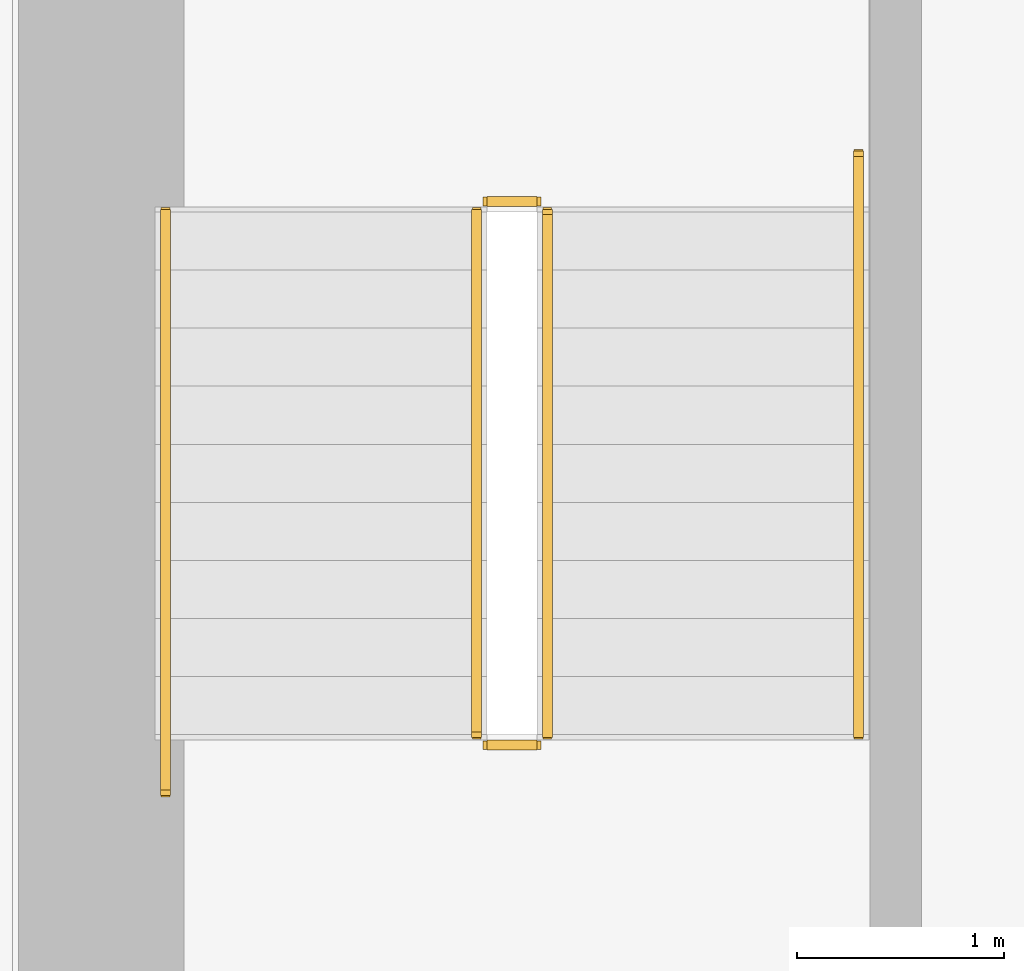
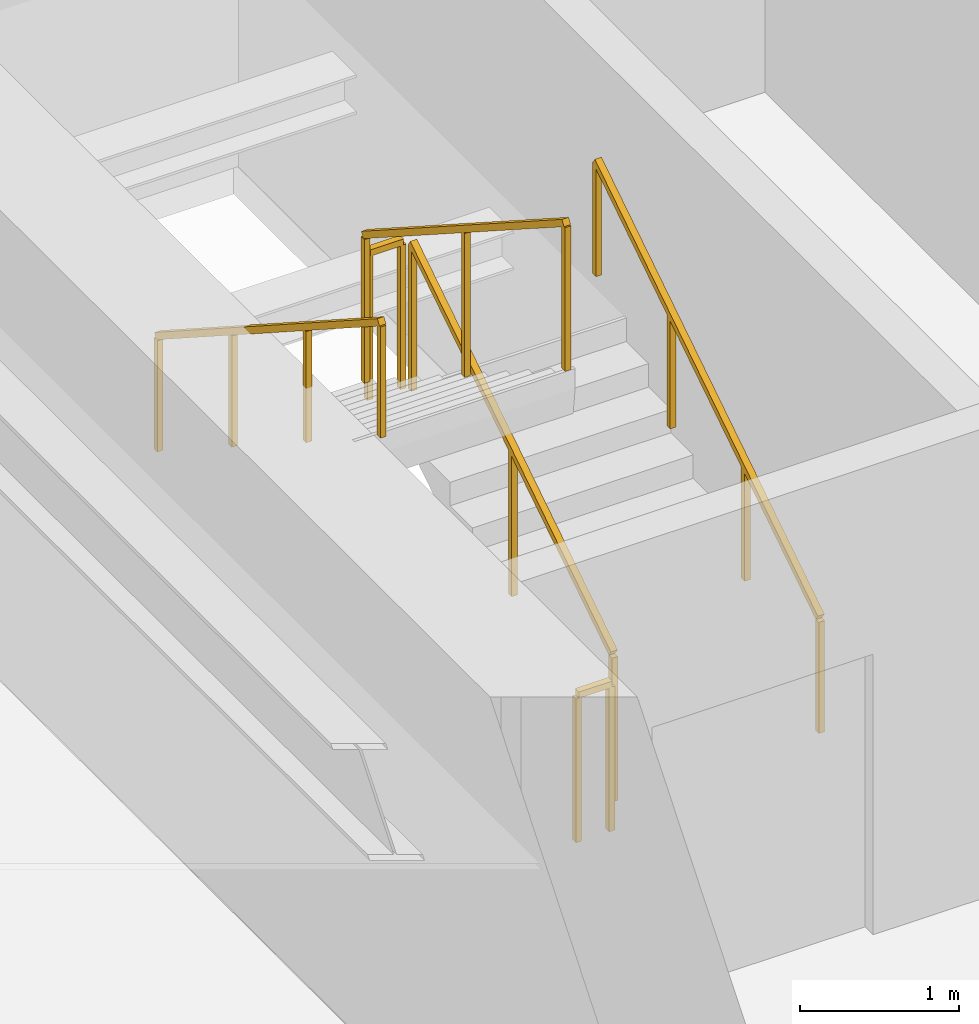
# One storey, part 30 of 33: 6 railings.
"""IFC4 building model written with IfcOpenShell, lengths in metres."""

from ifc_helpers import new_model, si_unit, direction, frame, origin, origin_2d, place, context, subcontext, project, spatial, rectangle, extrude, material, type_object, element, save


model = new_model("IFC4")

# Units and contexts
model_context = context("Model", 3, precision=1e-05, world=origin(), true_north=direction((0.0, 1.0)))
body_context = subcontext(model_context, "Body", "Model", "MODEL_VIEW")
ifc_project = project(units=[si_unit("LENGTHUNIT", "METRE"), si_unit("AREAUNIT", "SQUARE_METRE"), si_unit("VOLUMEUNIT", "CUBIC_METRE"), si_unit("PLANEANGLEUNIT", "RADIAN"), si_unit("MASSUNIT", "GRAM", prefix="KILO")], contexts=[model_context])

# Site, building, storey
site_placement = place(None, origin())
site = spatial("IfcSite", under=ifc_project, at=site_placement, CompositionType="ELEMENT")
building_placement = place(site_placement, origin())
building = spatial("IfcBuilding", under=site, at=building_placement, Name="Sumidabori Civic Tower", CompositionType="ELEMENT")
storey_placement = place(building_placement, frame((0.0, 0.0, 23.60009765625)))
storey = spatial("IfcBuildingStorey", under=building, at=storey_placement, Name="L05", CompositionType="ELEMENT", Elevation=23.60009765625)

# Railings
ifc_material_1 = material(Name="Stainless Steel Hairline Finish", Category="steel")
railing_type_1 = type_object("IfcRailingType", Name="RL-HANDRAIL", PredefinedType="HANDRAIL", material=ifc_material_1)
railing_1_placement = place(storey_placement, frame((-11.949951171875, 16.0, 0.179931640625)))
element("IfcRailing", 1, at=railing_1_placement, inside=storey, type_object=railing_type_1, Name="L05 ST-1 stair handrail 1", PredefinedType="HANDRAIL", context=body_context, shape_type="SweptSolid", body=[
    extrude(rectangle(XDim=0.048095703125, YDim=0.048095703125, at=origin_2d()), frame((0.0, 0.0, 0.8759765625), z_axis=(0.0, 0.840675598268, 0.541539046124), x_axis=(-1.0, 0.0, 0.0)), (0.0, 0.0, 1.0), 3.330810546875),
    extrude(rectangle(XDim=0.0419921875, YDim=0.0419921875, at=origin_2d()), origin(), (0.0, 0.0, 1.0), 0.851806640625),
    extrude(rectangle(XDim=0.0419921875, YDim=0.0419921875, at=origin_2d()), frame((0.0, 0.933349609375, 0.601318359375)), (0.0, 0.0, 1.0), 0.851806640625),
    extrude(rectangle(XDim=0.0419921875, YDim=0.0419921875, at=origin_2d()), frame((0.0, 1.86669921875, 1.202392578125)), (0.0, 0.0, 1.0), 0.851806640625),
    extrude(rectangle(XDim=0.0419921875, YDim=0.0419921875, at=origin_2d()), frame((0.0, 2.800048828125, 1.8037109375)), (0.0, 0.0, 1.0), 0.851806640625),
])
railing_2_placement = place(storey_placement, frame((-15.2900390625, 18.52001953125, 1.97998046875)))
element("IfcRailing", 2, at=railing_2_placement, inside=storey, type_object=railing_type_1, Name="L05 ST-1 stair handrail 2", PredefinedType="HANDRAIL", context=body_context, shape_type="SweptSolid", body=[
    extrude(rectangle(XDim=0.048095703125, YDim=0.048095703125, at=origin_2d()), frame((0.0, 0.0, 0.8759765625), z_axis=(0.0, -0.840675598268, 0.541539046124), x_axis=(1.0, 0.0, 0.0)), (0.0, 0.0, 1.0), 3.330810546875),
    extrude(rectangle(XDim=0.0419921875, YDim=0.0419921875, at=origin_2d()), origin(), (0.0, 0.0, 1.0), 0.851806640625),
    extrude(rectangle(XDim=0.0419921875, YDim=0.0419921875, at=origin_2d()), frame((0.0, -0.933349609375, 0.601318359375)), (0.0, 0.0, 1.0), 0.851806640625),
    extrude(rectangle(XDim=0.0419921875, YDim=0.0419921875, at=origin_2d()), frame((0.0, -1.86669921875, 1.202392578125)), (0.0, 0.0, 1.0), 0.851806640625),
    extrude(rectangle(XDim=0.0419921875, YDim=0.0419921875, at=origin_2d()), frame((0.0, -2.800048828125, 1.8037109375)), (0.0, 0.0, 1.0), 0.851806640625),
])
ifc_material_2 = material(Name="Steel SN490", Category="steel")
railing_type_2 = type_object("IfcRailingType", Name="RL-STAIR-GUARD", PredefinedType="GUARDRAIL", material=ifc_material_2)
railing_3_placement = place(storey_placement, frame((-13.449951171875, 16.0, 0.179931640625)))
element("IfcRailing", 3, at=railing_3_placement, inside=storey, type_object=railing_type_2, Name="L05 ST-1 stair guard 1", PredefinedType="GUARDRAIL", context=body_context, shape_type="SweptSolid", body=[
    extrude(rectangle(XDim=0.048095703125, YDim=0.048095703125, at=origin_2d()), frame((0.0, 0.0, 1.1259765625), z_axis=(0.0, 0.841199657755, 0.540724639528), x_axis=(-1.0, 0.0, 0.0)), (0.0, 0.0, 1.0), 2.995849609375),
    extrude(rectangle(XDim=0.0419921875, YDim=0.0419921875, at=origin_2d()), origin(), (0.0, 0.0, 1.0), 1.101806640625),
    extrude(rectangle(XDim=0.0419921875, YDim=0.0419921875, at=origin_2d()), frame((0.0, 1.260009765625, 0.81005859375)), (0.0, 0.0, 1.0), 1.101806640625),
    extrude(rectangle(XDim=0.0419921875, YDim=0.0419921875, at=origin_2d()), frame((0.0, 2.52001953125, 1.619873046875)), (0.0, 0.0, 1.0), 1.101806640625),
])
railing_4_placement = place(storey_placement, frame((-13.5, 18.570068359375, 1.7998046875)))
element("IfcRailing", 4, at=railing_4_placement, inside=storey, type_object=railing_type_2, Name="L05 ST-1 stair guard 2", PredefinedType="GUARDRAIL", context=body_context, shape_type="SweptSolid", body=[
    extrude(rectangle(XDim=0.048095703125, YDim=0.048095703125, at=origin_2d()), frame((0.0, 0.0, 1.1259765625), z_axis=(-1.0, 0.0, 0.0), x_axis=(0.0, -1.0, 0.0)), (0.0, 0.0, 1.0), 0.239990234375),
    extrude(rectangle(XDim=0.0419921875, YDim=0.0419921875, at=origin_2d()), origin(), (0.0, 0.0, 1.0), 1.101806640625),
    extrude(rectangle(XDim=0.0419921875, YDim=0.0419921875, at=origin_2d()), frame((-0.239990234375, 0.0, 0.0)), (0.0, 0.0, 1.0), 1.101806640625),
])
railing_5_placement = place(storey_placement, frame((-13.7900390625, 18.52001953125, 1.97998046875)))
element("IfcRailing", 5, at=railing_5_placement, inside=storey, type_object=railing_type_2, Name="L05 ST-1 stair guard 3", PredefinedType="GUARDRAIL", context=body_context, shape_type="SweptSolid", body=[
    extrude(rectangle(XDim=0.048095703125, YDim=0.048095703125, at=origin_2d()), frame((0.0, 0.0, 1.1259765625), z_axis=(0.0, -0.841199657755, 0.540724639528), x_axis=(1.0, 0.0, 0.0)), (0.0, 0.0, 1.0), 2.995849609375),
    extrude(rectangle(XDim=0.0419921875, YDim=0.0419921875, at=origin_2d()), origin(), (0.0, 0.0, 1.0), 1.101806640625),
    extrude(rectangle(XDim=0.0419921875, YDim=0.0419921875, at=origin_2d()), frame((0.0, -1.260009765625, 0.81005859375)), (0.0, 0.0, 1.0), 1.101806640625),
    extrude(rectangle(XDim=0.0419921875, YDim=0.0419921875, at=origin_2d()), frame((0.0, -2.52001953125, 1.619873046875)), (0.0, 0.0, 1.0), 1.101806640625),
])
railing_6_placement = place(storey_placement, frame((-13.5, 15.949951171875, 0.0)))
element("IfcRailing", 6, at=railing_6_placement, inside=storey, type_object=railing_type_2, Name="L05 ST-1 stair guard 4", PredefinedType="GUARDRAIL", context=body_context, shape_type="SweptSolid", body=[
    extrude(rectangle(XDim=0.048095703125, YDim=0.048095703125, at=origin_2d()), frame((0.0, 0.0, 1.1259765625), z_axis=(-1.0, 0.0, 0.0), x_axis=(0.0, -1.0, 0.0)), (0.0, 0.0, 1.0), 0.239990234375),
    extrude(rectangle(XDim=0.0419921875, YDim=0.0419921875, at=origin_2d()), origin(), (0.0, 0.0, 1.0), 1.101806640625),
    extrude(rectangle(XDim=0.0419921875, YDim=0.0419921875, at=origin_2d()), frame((-0.239990234375, 0.0, 0.0)), (0.0, 0.0, 1.0), 1.101806640625),
])

save(model, "model.ifc")
